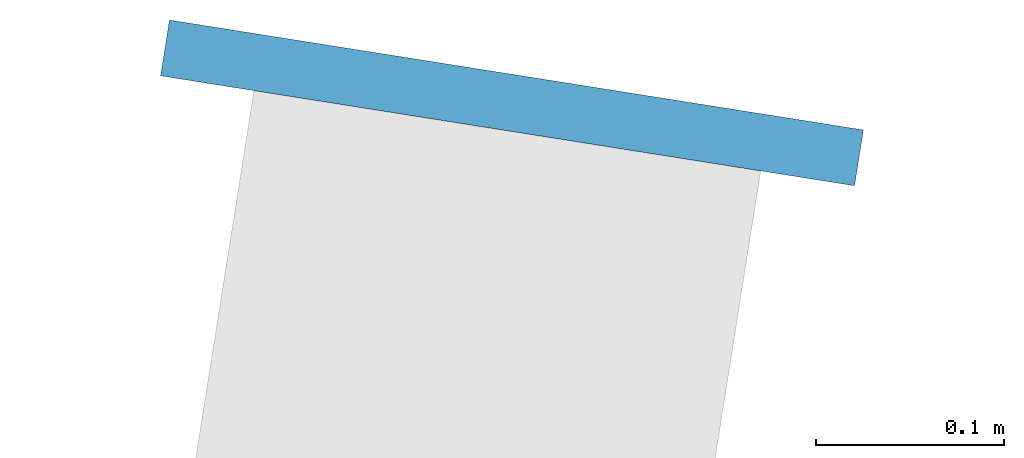
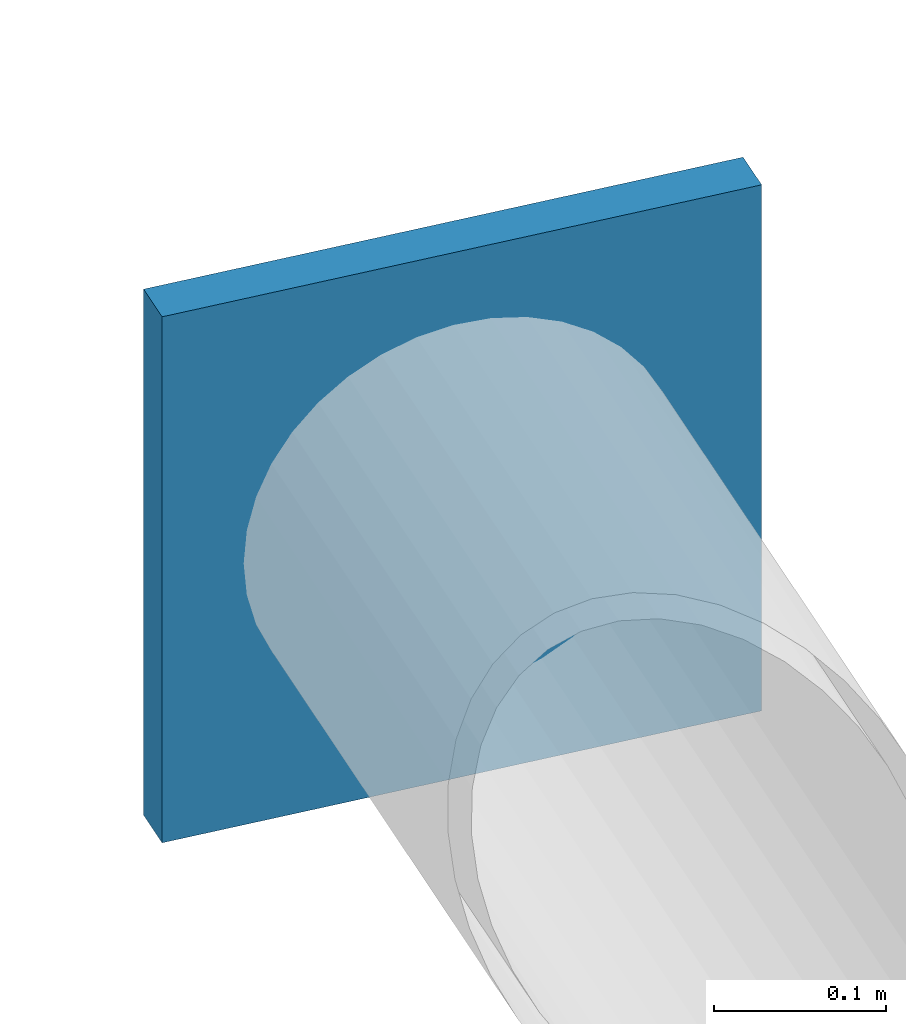
# One storey, part 12 of 19: 1 discrete accessory.
"""IFC4 building model written with IfcOpenShell, lengths in metres."""

import ifcopenshell
import ifcopenshell.guid

model = None  # the IFC model being written
_history = None  # IfcOwnerHistory: only IFC2X3 demands one
_inside = {}  # id of a spatial element -> (the spatial element, [elements in it])
_under = {}  # id of a project, library or spatial element -> (it, [spatial elements below it])
_declared = {}  # id of a project -> (the project, [libraries it declares])
_typed = {}  # id of a type object -> (the type object, [elements of that type])
_made_of = {}  # id of a material, layer set ... -> (it, [elements and type objects made of it])


def new_model(schema):
    """Start an empty IFC model of exactly this schema.

    Asked for "IFC4X3", IfcOpenShell would pick the latest addendum, in which some entities
    have other attributes; the version numbers below select the first issue.
    IFC2X3 requires an IfcOwnerHistory on every rooted entity: one is made here for all.
    """
    global model, _history
    if schema == "IFC4X3":
        model = ifcopenshell.file(schema_version=(4, 3, 0, 0))
    else:
        model = ifcopenshell.file(schema=schema)
    _inside.clear()
    _under.clear()
    _declared.clear()
    _typed.clear()
    _made_of.clear()
    _history = None
    if model.schema == "IFC2X3":
        org = make("IfcOrganization", Name="unknown")
        user = make(
            "IfcPersonAndOrganization",
            ThePerson=make("IfcPerson", FamilyName="unknown"),
            TheOrganization=org,
        )
        app = make(
            "IfcApplication",
            ApplicationDeveloper=org,
            Version="unknown",
            ApplicationFullName="unknown",
            ApplicationIdentifier="unknown",
        )
        _history = make(
            "IfcOwnerHistory",
            OwningUser=user,
            OwningApplication=app,
            ChangeAction="ADDED",
            CreationDate=0,
        )
    return model


def make(cls, **values):
    """One entity of the class cls with the attributes given. An attribute that is None is left unset."""
    return model.create_entity(
        cls, **{name: value for name, value in values.items() if value is not None}
    )


def rooted(cls, **values):
    """An entity with a GlobalId (a new one), such as an element, a storey or a relation."""
    return make(cls, GlobalId=ifcopenshell.guid.new(), OwnerHistory=_history, **values)


def si_unit(unit_type, name, prefix=None):
    """IfcSIUnit, for example si_unit("LENGTHUNIT", "METRE", prefix="MILLI")."""
    return make("IfcSIUnit", UnitType=unit_type, Prefix=prefix, Name=name)


def assignment(units):
    """IfcUnitAssignment: the units of a project."""
    return None if units is None else make("IfcUnitAssignment", Units=units)


def point(xyz):
    """IfcCartesianPoint."""
    return None if xyz is None else make("IfcCartesianPoint", Coordinates=xyz)


def direction(xyz):
    """IfcDirection."""
    return None if xyz is None else make("IfcDirection", DirectionRatios=xyz)


def frame(location, z_axis=None, x_axis=None):
    """IfcAxis2Placement3D, a coordinate frame: its origin and axes. An axis left out is left unset."""
    return make(
        "IfcAxis2Placement3D",
        Location=point(location),
        Axis=direction(z_axis),
        RefDirection=direction(x_axis),
    )


def frame_2d(location, x_axis=None):
    """IfcAxis2Placement2D, a coordinate frame in the plane: its origin and x axis."""
    return make(
        "IfcAxis2Placement2D", Location=point(location), RefDirection=direction(x_axis)
    )


def origin():
    """The frame at (0, 0, 0) with its axes left unset."""
    return frame((0.0, 0.0, 0.0))


def origin_2d():
    """The frame at (0, 0) in the plane with its x axis left unset."""
    return frame_2d((0.0, 0.0))


def place(relative_to, where):
    """IfcLocalPlacement: puts the frame where relative to a parent placement (None: the world)."""
    return make(
        "IfcLocalPlacement", PlacementRelTo=relative_to, RelativePlacement=where
    )


def context(
    kind, dimensions, precision=None, world=None, true_north=None, identifier=None
):
    """IfcGeometricRepresentationContext, for example the 3D "Model" context."""
    return make(
        "IfcGeometricRepresentationContext",
        ContextIdentifier=identifier,
        ContextType=kind,
        CoordinateSpaceDimension=dimensions,
        Precision=precision,
        WorldCoordinateSystem=world,
        TrueNorth=true_north,
    )


def subcontext(parent, identifier, kind, view, scale=None):
    """IfcGeometricRepresentationSubContext, for example "Body" below "Model"."""
    return make(
        "IfcGeometricRepresentationSubContext",
        ContextIdentifier=identifier,
        ContextType=kind,
        ParentContext=parent,
        TargetScale=scale,
        TargetView=view,
    )


def project(units=None, contexts=None):
    """IfcProject with its units and contexts."""
    return rooted(
        "IfcProject",
        Name="project",
        RepresentationContexts=contexts,
        UnitsInContext=assignment(units),
    )


def spatial(cls, under=None, at=None, **own):
    """A site, building, storey or space (cls), placed at a placement, below another one or the project."""
    s = rooted(cls, ObjectPlacement=at, **own)
    if under is not None:
        _under.setdefault(under.id(), (under, []))[1].append(s)
    return s


def profile(cls, at=None, kind="AREA", **sizes):
    """A parametric profile (cls). Its sizes go by their IFC names, for example OverallWidth=200.0."""
    return make(cls, ProfileType=kind, Position=at, **sizes)


def rectangle(**sizes):
    """IfcRectangleProfileDef."""
    return profile("IfcRectangleProfileDef", **sizes)


def extrude(swept, where, along, depth):
    """IfcExtrudedAreaSolid: the profile swept, set in the frame where, extruded along a direction by depth."""
    return make(
        "IfcExtrudedAreaSolid",
        SweptArea=swept,
        Position=where,
        ExtrudedDirection=direction(along),
        Depth=depth,
    )


def shape(context_of_items, identifier, shape_type, items):
    """IfcShapeRepresentation: the items that make up one representation, for example the "Body"."""
    return make(
        "IfcShapeRepresentation",
        ContextOfItems=context_of_items,
        RepresentationIdentifier=identifier,
        RepresentationType=shape_type,
        Items=items,
    )


def material(Name=None, Category=None):
    """IfcMaterial."""
    return make("IfcMaterial", Name=Name, Category=Category)


def made_of(thing, what):
    """Note that an element or type object is made of a material, layer set ...; save() writes the relation."""
    if what is not None:
        _made_of.setdefault(what.id(), (what, []))[1].append(thing)
    return thing


def element(
    cls,
    number,
    at=None,
    inside=None,
    cuts=None,
    type_object=None,
    material=None,
    context=None,
    identifier="Body",
    shape_type=None,
    held_by="IfcProductDefinitionShape",
    body=None,
    shapes=None,
    **own,
):
    """One element of the class cls, such as IfcWall. Its Tag is "e" and its number.

    at: its placement. inside: the storey or other place that contains it. cuts: it is an
    opening in that element (IfcRelVoidsElement). A single representation is given by context,
    identifier, shape_type and body (its items); several are given by shapes. held_by: the class
    of the entity that holds the representations. save() writes the other relations.
    """
    e = rooted(cls, Tag="e%d" % number, ObjectPlacement=at, **own)
    if body is not None:
        shapes = [shape(context, identifier, shape_type, body)]
    if shapes is not None:
        e.Representation = make(held_by, Representations=shapes)
    if inside is not None:
        _inside.setdefault(inside.id(), (inside, []))[1].append(e)
    if cuts is not None:
        rooted(
            "IfcRelVoidsElement", RelatingBuildingElement=cuts, RelatedOpeningElement=e
        )
    if type_object is not None:
        _typed.setdefault(type_object.id(), (type_object, []))[1].append(e)
    return made_of(e, material)


def aggregate(whole, parts):
    """IfcRelAggregates: a whole, such as a stair, and the parts it consists of."""
    return rooted("IfcRelAggregates", RelatingObject=whole, RelatedObjects=parts)


def save(model, path):
    """Write the relations noted so far, then the file.

    IfcRelAggregates (storeys below a building ...), IfcRelContainedInSpatialStructure (elements
    in a storey), IfcRelDefinesByType, IfcRelAssociatesMaterial and IfcRelDeclares: one each for
    every whole, place, type object, material and project.
    """
    for whole, parts in _under.values():
        aggregate(whole, parts)
    for where, things in _inside.values():
        rooted(
            "IfcRelContainedInSpatialStructure",
            RelatedElements=things,
            RelatingStructure=where,
        )
    for kind, things in _typed.values():
        rooted("IfcRelDefinesByType", RelatedObjects=things, RelatingType=kind)
    for what, things in _made_of.values():
        rooted("IfcRelAssociatesMaterial", RelatedObjects=things, RelatingMaterial=what)
    for by, libraries in _declared.values():
        rooted("IfcRelDeclares", RelatingContext=by, RelatedDefinitions=libraries)
    model.write(path)


model = new_model("IFC4")

# Units and contexts
model_context = context("Model", 3, precision=1e-05, world=origin(), true_north=direction((0.0, 1.0)))
body_context = subcontext(model_context, "Body", "Model", "MODEL_VIEW")
ifc_project = project(units=[si_unit("LENGTHUNIT", "METRE"), si_unit("AREAUNIT", "SQUARE_METRE"), si_unit("VOLUMEUNIT", "CUBIC_METRE"), si_unit("PLANEANGLEUNIT", "RADIAN"), si_unit("MASSUNIT", "GRAM", prefix="KILO")], contexts=[model_context])

# Site, building, storey
site_placement = place(None, origin())
site = spatial("IfcSite", under=ifc_project, at=site_placement, CompositionType="ELEMENT")
building_placement = place(site_placement, origin())
building = spatial("IfcBuilding", under=site, at=building_placement, Name="Entoto Ring Tower", CompositionType="ELEMENT")
storey_placement = place(building_placement, frame((0.0, 0.0, 368.0)))
storey = spatial("IfcBuildingStorey", under=building, at=storey_placement, Name="L85", CompositionType="ELEMENT", Elevation=368.0)

# Discrete accessory
ifc_material = material(Name="Steel S355", Category="steel")
discrete_accessory_placement = place(storey_placement, frame((95.10205078125, 112.21337890625, 3.52685546875), z_axis=(0.0, 0.0, 1.0), x_axis=(0.15643446504, 0.987688340595, 0.0)))
element("IfcDiscreteAccessory", 1, at=discrete_accessory_placement, inside=storey, material=ifc_material, Name="Node strut end plate DS2 ring 27 04", PredefinedType="BRACKET", context=body_context, shape_type="SweptSolid", body=[
    extrude(rectangle(XDim=0.030029296875, YDim=0.373046875, at=origin_2d()), origin(), (0.0, 0.0, 1.0), 0.373046875),
])

save(model, "model.ifc")
